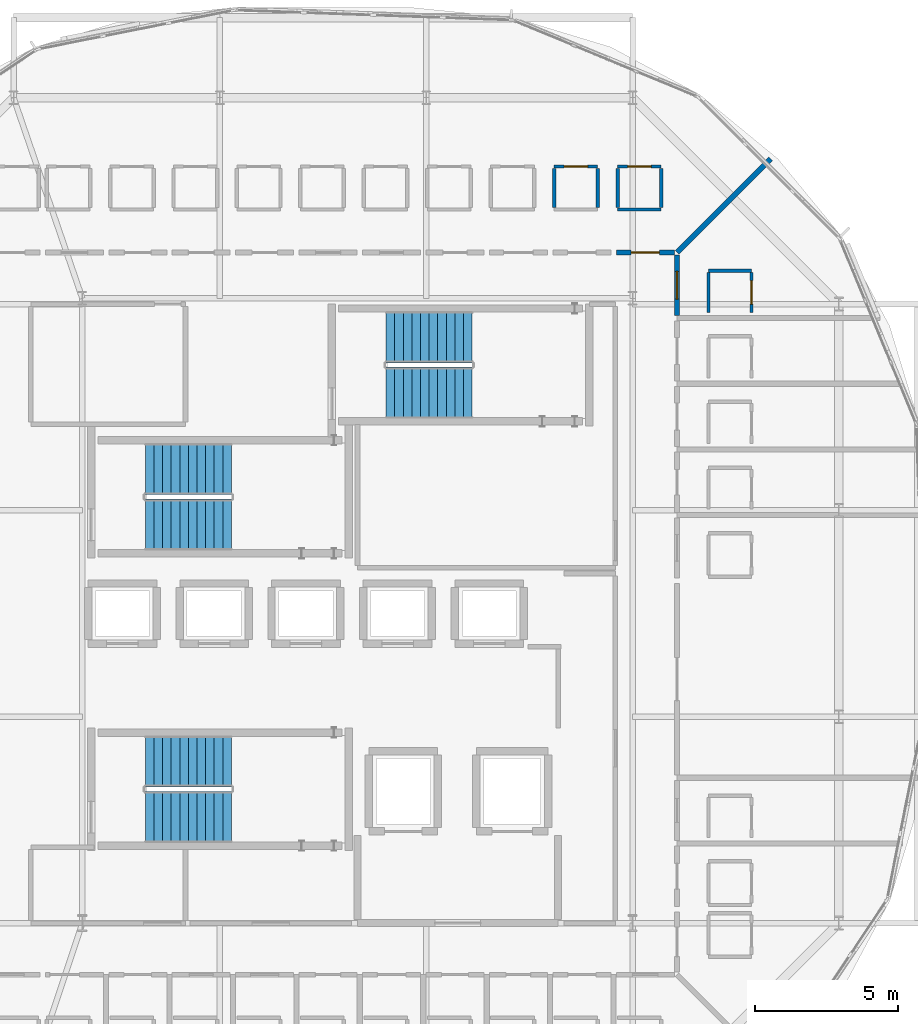
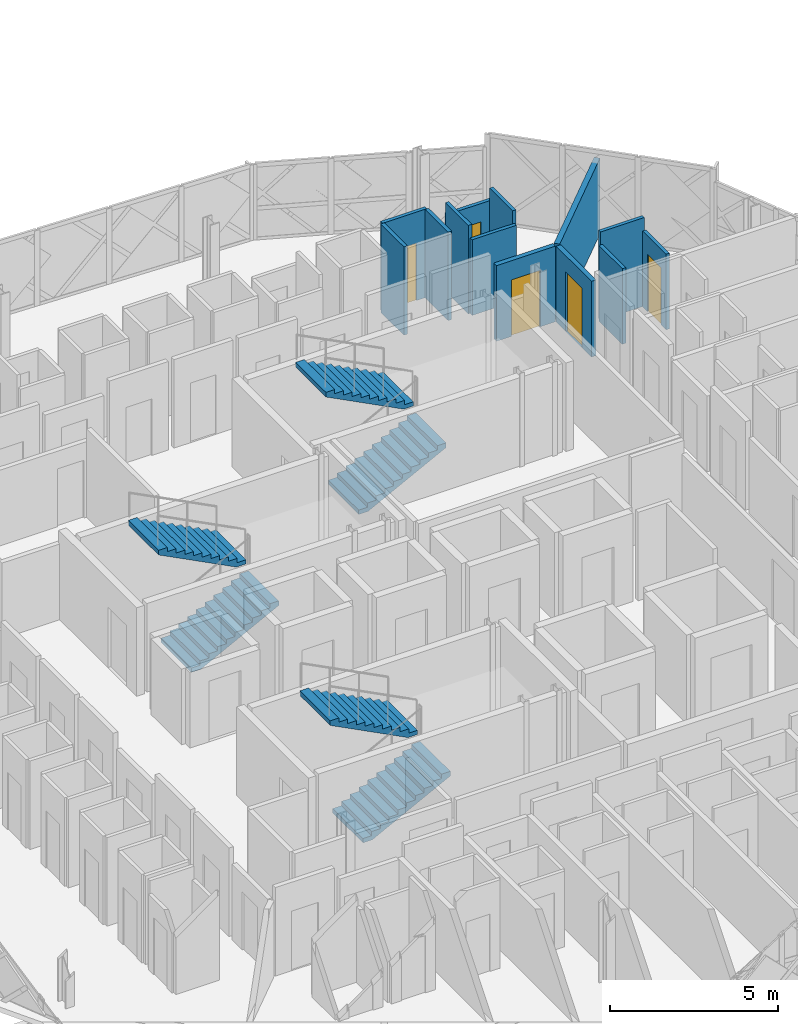
# One storey, part 35 of 40: 13 walls, 6 stair flights, 5 doors, 5 openings, 3 elements without a shape of their own.
"""IFC4 building model written with IfcOpenShell, lengths in metres."""

from ifc_helpers import new_model, si_unit, direction, frame, frame_2d, origin, place, context, subcontext, project, spatial, polyline, rectangle, outline, extrude, material, layer, layer_set, type_object, element, fill, aggregate, save


model = new_model("IFC4")

# Units and contexts
model_context = context("Model", 3, precision=1e-05, world=origin(), true_north=direction((0.0, 1.0)))
body_context = subcontext(model_context, "Body", "Model", "MODEL_VIEW")
ifc_project = project(units=[si_unit("LENGTHUNIT", "METRE"), si_unit("AREAUNIT", "SQUARE_METRE"), si_unit("VOLUMEUNIT", "CUBIC_METRE"), si_unit("PLANEANGLEUNIT", "RADIAN"), si_unit("MASSUNIT", "GRAM", prefix="KILO")], contexts=[model_context])

# Site, building, storey
site_placement = place(None, origin())
site = spatial("IfcSite", under=ifc_project, at=site_placement, CompositionType="ELEMENT")
building_placement = place(site_placement, origin())
building = spatial("IfcBuilding", under=site, at=building_placement, Name="Zevrakil Square Congress Hotel", CompositionType="ELEMENT")
storey_placement = place(building_placement, frame((0.0, 0.0, 18.10009765625)))
storey = spatial("IfcBuildingStorey", under=building, at=storey_placement, Name="L05", CompositionType="ELEMENT", Elevation=18.10009765625)

# Wall, opening, door
ifc_material_1 = material(Name="Gypsum Acoustic Stud Partition")
ifc_layer_1 = layer(ifc_material_1, 0.159912109375)
ifc_layer_set_1 = layer_set([ifc_layer_1], Name="Gypsum Acoustic Stud Partition")
wall_type_1 = type_object("IfcWallType", Name="WAL-CORR-160", PredefinedType="PARTITIONING", material=ifc_layer_set_1)
wall_1_placement = place(storey_placement, frame((157.550048828125, 38.004150390625, 0.0), z_axis=(0.0, 0.0, 1.0), x_axis=(0.0, 1.0, 0.0)))
wall_1 = element("IfcWall", 1, at=wall_1_placement, inside=storey, type_object=wall_type_1, Name="L05 interior partition PW-L05-0571", PredefinedType="PARTITIONING", context=body_context, shape_type="SweptSolid", body=[
    extrude(rectangle(XDim=2.100830078125, YDim=0.159912109375, at=frame_2d((1.05029296875, 0.0))), origin(), (0.0, 0.0, 1.0), 2.744873046875),
])
opening_1_placement = place(wall_1_placement, frame((0.564453125, 0.0, 0.0)))
opening_1 = element("IfcOpeningElement", 2, at=opening_1_placement, cuts=wall_1, Name="Opening ID-H11", PredefinedType="OPENING", context=body_context, shape_type="SweptSolid", body=[
    extrude(rectangle(XDim=0.971923828125, YDim=2.159912109375, at=frame_2d((0.48583984375, 1.080078125))), frame((0.0, 0.08984375, 0.0), z_axis=(0.0, -1.0, 0.0), x_axis=(1.0, 0.0, 0.0)), (0.0, 0.0, 1.0), 0.179931640625),
])
ifc_material_2 = material(Name="Acoustic Timber Fire Door", Category="wood")
door_type_1 = type_object("IfcDoorType", Name="DOR-INT-H11", OperationType="NOTDEFINED", PredefinedType="DOOR", material=ifc_material_2)
door_1_placement = place(opening_1_placement, origin())
door_1 = element("IfcDoor", 3, at=door_1_placement, inside=storey, type_object=door_type_1, Name="L05 interior door 228", OperationType="SINGLE_SWING_RIGHT", OverallHeight=2.159912109375, OverallWidth=0.971923828125, PredefinedType="DOOR", context=body_context, shape_type="SweptSolid", body=[
    extrude(rectangle(XDim=0.971923828125, YDim=2.159912109375, at=frame_2d((0.48583984375, 1.080078125))), frame((0.0, 0.02490234375, 0.0), z_axis=(0.0, -1.0, 0.0), x_axis=(1.0, 0.0, 0.0)), (0.0, 0.0, 1.0), 0.050048828125),
])
fill(opening_1, door_1)

wall_2_placement = place(storey_placement, frame((155.431396484375, 40.199951171875, 0.0), z_axis=(0.0, 0.0, 1.0), x_axis=(1.0, 0.0, 0.0)))
wall_2 = element("IfcWall", 4, at=wall_2_placement, inside=storey, type_object=wall_type_1, Name="L05 interior partition PW-L05-0576", PredefinedType="PARTITIONING", context=body_context, shape_type="SweptSolid", body=[
    extrude(rectangle(XDim=2.023681640625, YDim=0.159912109375, at=frame_2d((1.01171875, 0.0))), origin(), (0.0, 0.0, 1.0), 2.744873046875),
])
opening_2_placement = place(wall_2_placement, frame((0.521728515625, 0.0, 0.0)))
opening_2 = element("IfcOpeningElement", 5, at=opening_2_placement, cuts=wall_2, Name="Opening ID-G06", PredefinedType="OPENING", context=body_context, shape_type="SweptSolid", body=[
    extrude(rectangle(XDim=0.97998046875, YDim=2.050048828125, at=frame_2d((0.489990234375, 1.02490234375))), frame((0.0, 0.08984375, 0.0), z_axis=(0.0, -1.0, 0.0), x_axis=(1.0, 0.0, 0.0)), (0.0, 0.0, 1.0), 0.179931640625),
])
ifc_material_3 = material(Name="Acoustic Timber Fire Door", Category="wood")
door_type_2 = type_object("IfcDoorType", Name="DOR-INT-G06", OperationType="NOTDEFINED", PredefinedType="DOOR", material=ifc_material_3)
door_2_placement = place(opening_2_placement, origin())
door_2 = element("IfcDoor", 6, at=door_2_placement, inside=storey, type_object=door_type_2, Name="L05 interior door 230", OperationType="SINGLE_SWING_RIGHT", OverallHeight=2.050048828125, OverallWidth=0.97998046875, PredefinedType="DOOR", context=body_context, shape_type="SweptSolid", body=[
    extrude(rectangle(XDim=0.97998046875, YDim=2.050048828125, at=frame_2d((0.489990234375, 1.02490234375))), frame((0.0, 0.02490234375, 0.0), z_axis=(0.0, -1.0, 0.0), x_axis=(1.0, 0.0, 0.0)), (0.0, 0.0, 1.0), 0.050048828125),
])
fill(opening_2, door_2)

# Walls
ifc_material_4 = material(Name="Moisture-Resistant Gypsum Partition")
ifc_layer_2 = layer(ifc_material_4, 0.1201171875)
ifc_layer_set_2 = layer_set([ifc_layer_2], Name="Moisture-Resistant Gypsum Partition")
wall_type_2 = type_object("IfcWallType", Name="WAL-ENS-120", PredefinedType="PARTITIONING", material=ifc_layer_set_2)
wall_3_placement = place(storey_placement, frame((158.64990234375, 39.569091796875, 0.0), z_axis=(0.0, 0.0, 1.0), x_axis=(1.0, 0.0, 0.0)))
element("IfcWall", 7, at=wall_3_placement, inside=storey, type_object=wall_type_2, Name="L05 interior partition PW-L05-0572", PredefinedType="PARTITIONING", context=body_context, shape_type="SweptSolid", body=[
    extrude(rectangle(XDim=1.5, YDim=0.1201171875, at=frame_2d((0.75, 0.0))), origin(), (0.0, 0.0, 1.0), 3.2099609375),
])
wall_4_placement = place(storey_placement, frame((158.64990234375, 38.114013671875, 0.0), z_axis=(0.0, 0.0, 1.0), x_axis=(0.0, 1.0, 0.0)))
element("IfcWall", 8, at=wall_4_placement, inside=storey, type_object=wall_type_2, Name="L05 interior partition PW-L05-0573", PredefinedType="PARTITIONING", context=body_context, shape_type="SweptSolid", body=[
    extrude(rectangle(XDim=1.39013671875, YDim=0.1201171875, at=frame_2d((0.695068359375, 0.0))), origin(), (0.0, 0.0, 1.0), 2.744873046875),
])

# Wall, opening, door
wall_5_placement = place(storey_placement, frame((160.14990234375, 38.114013671875, 0.0), z_axis=(0.0, 0.0, 1.0), x_axis=(0.0, 1.0, 0.0)))
wall_5 = element("IfcWall", 9, at=wall_5_placement, inside=storey, type_object=wall_type_2, Name="L05 interior partition PW-L05-0574", PredefinedType="PARTITIONING", context=body_context, shape_type="SweptSolid", body=[
    extrude(rectangle(XDim=1.39013671875, YDim=0.1201171875, at=frame_2d((0.695068359375, 0.0))), origin(), (0.0, 0.0, 1.0), 2.744873046875),
])
opening_3_placement = place(wall_5_placement, frame((0.284912109375, 0.0, 0.0)))
opening_3 = element("IfcOpeningElement", 10, at=opening_3_placement, cuts=wall_5, Name="Opening ID-11", PredefinedType="OPENING", context=body_context, shape_type="SweptSolid", body=[
    extrude(rectangle(XDim=0.820068359375, YDim=2.080078125, at=frame_2d((0.41015625, 1.0400390625))), frame((0.0, 0.070068359375, 0.0), z_axis=(0.0, -1.0, 0.0), x_axis=(1.0, 0.0, 0.0)), (0.0, 0.0, 1.0), 0.14013671875),
])
ifc_material_5 = material(Name="Acoustic Timber Door", Category="wood")
door_type_3 = type_object("IfcDoorType", Name="DOR-INT-V01", OperationType="NOTDEFINED", PredefinedType="DOOR", material=ifc_material_5)
door_3_placement = place(opening_3_placement, origin())
door_3 = element("IfcDoor", 11, at=door_3_placement, inside=storey, type_object=door_type_3, Name="L05 interior door 229", OperationType="SINGLE_SWING_LEFT", OverallHeight=2.080078125, OverallWidth=0.820068359375, PredefinedType="DOOR", context=body_context, shape_type="SweptSolid", body=[
    extrude(rectangle(XDim=0.820068359375, YDim=2.080078125, at=frame_2d((0.41015625, 1.0400390625))), frame((0.0, 0.02490234375, 0.0), z_axis=(0.0, -1.0, 0.0), x_axis=(1.0, 0.0, 0.0)), (0.0, 0.0, 1.0), 0.050048828125),
])
fill(opening_3, door_3)

# Wall
wall_6_placement = place(storey_placement, frame((155.476318359375, 41.699951171875, 0.0), z_axis=(0.0, 0.0, 1.0), x_axis=(1.0, 0.0, 0.0)))
element("IfcWall", 12, at=wall_6_placement, inside=storey, type_object=wall_type_2, Name="L05 interior partition PW-L05-0577", PredefinedType="PARTITIONING", context=body_context, shape_type="SweptSolid", body=[
    extrude(rectangle(XDim=1.52001953125, YDim=0.1201171875, at=frame_2d((0.760009765625, 0.0))), origin(), (0.0, 0.0, 1.0), 2.744873046875),
])

# Wall, opening, door
wall_7_placement = place(storey_placement, frame((155.476318359375, 43.199951171875, 0.0), z_axis=(0.0, 0.0, 1.0), x_axis=(1.0, 0.0, 0.0)))
wall_7 = element("IfcWall", 13, at=wall_7_placement, inside=storey, type_object=wall_type_2, Name="L05 interior partition PW-L05-0578", PredefinedType="PARTITIONING", context=body_context, shape_type="SweptSolid", body=[
    extrude(rectangle(XDim=1.52001953125, YDim=0.1201171875, at=frame_2d((0.760009765625, 0.0))), origin(), (0.0, 0.0, 1.0), 2.744873046875),
])
opening_4_placement = place(wall_7_placement, frame((0.35009765625, 0.0, 0.0)))
opening_4 = element("IfcOpeningElement", 14, at=opening_4_placement, cuts=wall_7, Name="Opening ID-11", PredefinedType="OPENING", context=body_context, shape_type="SweptSolid", body=[
    extrude(rectangle(XDim=0.820068359375, YDim=2.080078125, at=frame_2d((0.41015625, 1.0400390625))), frame((0.0, 0.070068359375, 0.0), z_axis=(0.0, -1.0, 0.0), x_axis=(1.0, 0.0, 0.0)), (0.0, 0.0, 1.0), 0.14013671875),
])
door_4_placement = place(opening_4_placement, origin())
door_4 = element("IfcDoor", 15, at=door_4_placement, inside=storey, type_object=door_type_3, Name="L05 interior door 231", OperationType="SINGLE_SWING_LEFT", OverallHeight=2.080078125, OverallWidth=0.820068359375, PredefinedType="DOOR", context=body_context, shape_type="SweptSolid", body=[
    extrude(rectangle(XDim=0.820068359375, YDim=2.080078125, at=frame_2d((0.41015625, 1.0400390625))), frame((0.0, 0.02490234375, 0.0), z_axis=(0.0, -1.0, 0.0), x_axis=(1.0, 0.0, 0.0)), (0.0, 0.0, 1.0), 0.050048828125),
])
fill(opening_4, door_4)

# Walls
for number, where, z_axis, x_axis, name in (
    (16, (155.476318359375, 41.764892578125, 0.0), (0.0, 0.0, 1.0), (0.0, 1.0, 0.0), "L05 interior partition PW-L05-0579"),
    (17, (156.996337890625, 41.764892578125, 0.0), (0.0, 0.0, 1.0), (0.0, 1.0, 0.0), "L05 interior partition PW-L05-0580"),
):
    element("IfcWall", number, at=place(storey_placement, frame(where, z_axis=z_axis, x_axis=x_axis)), inside=storey, type_object=wall_type_2, Name=name, PredefinedType="PARTITIONING", context=body_context, shape_type="SweptSolid", body=[
        extrude(rectangle(XDim=1.3701171875, YDim=0.1201171875, at=frame_2d((0.68505859375, 0.0))), origin(), (0.0, 0.0, 1.0), 3.2099609375),
    ])

# Wall, opening, door
wall_8_placement = place(storey_placement, frame((153.2626953125, 43.199951171875, 0.0), z_axis=(0.0, 0.0, 1.0), x_axis=(1.0, 0.0, 0.0)))
wall_8 = element("IfcWall", 18, at=wall_8_placement, inside=storey, type_object=wall_type_2, Name="L05 interior partition PW-L05-0583", PredefinedType="PARTITIONING", context=body_context, shape_type="SweptSolid", body=[
    extrude(rectangle(XDim=1.52001953125, YDim=0.1201171875, at=frame_2d((0.760009765625, 0.0))), origin(), (0.0, 0.0, 1.0), 3.2099609375),
])
opening_5_placement = place(wall_8_placement, frame((0.35009765625, 0.0, 0.0)))
opening_5 = element("IfcOpeningElement", 19, at=opening_5_placement, cuts=wall_8, Name="Opening ID-11", PredefinedType="OPENING", context=body_context, shape_type="SweptSolid", body=[
    extrude(rectangle(XDim=0.820068359375, YDim=2.080078125, at=frame_2d((0.41015625, 1.0400390625))), frame((0.0, 0.070068359375, 0.0), z_axis=(0.0, -1.0, 0.0), x_axis=(1.0, 0.0, 0.0)), (0.0, 0.0, 1.0), 0.14013671875),
])
door_5_placement = place(opening_5_placement, origin())
door_5 = element("IfcDoor", 20, at=door_5_placement, inside=storey, type_object=door_type_3, Name="L05 interior door 233", OperationType="SINGLE_SWING_LEFT", OverallHeight=2.080078125, OverallWidth=0.820068359375, PredefinedType="DOOR", context=body_context, shape_type="SweptSolid", body=[
    extrude(rectangle(XDim=0.820068359375, YDim=2.080078125, at=frame_2d((0.41015625, 1.0400390625))), frame((0.0, 0.02490234375, 0.0), z_axis=(0.0, -1.0, 0.0), x_axis=(1.0, 0.0, 0.0)), (0.0, 0.0, 1.0), 0.050048828125),
])
fill(opening_5, door_5)

# Walls
for number, where, z_axis, x_axis, name in (
    (21, (153.2626953125, 41.764892578125, 0.0), (0.0, 0.0, 1.0), (0.0, 1.0, 0.0), "L05 interior partition PW-L05-0584"),
    (22, (154.78271484375, 41.764892578125, 0.0), (0.0, 0.0, 1.0), (0.0, 1.0, 0.0), "L05 interior partition PW-L05-0585"),
):
    element("IfcWall", number, at=place(storey_placement, frame(where, z_axis=z_axis, x_axis=x_axis)), inside=storey, type_object=wall_type_2, Name=name, PredefinedType="PARTITIONING", context=body_context, shape_type="SweptSolid", body=[
        extrude(rectangle(XDim=1.3701171875, YDim=0.1201171875, at=frame_2d((0.68505859375, 0.0))), origin(), (0.0, 0.0, 1.0), 3.2099609375),
    ])
ifc_material_6 = material(Name="Gypsum Twin-Stud Party Partition")
ifc_layer_3 = layer(ifc_material_6, 0.179931640625)
ifc_layer_set_3 = layer_set([ifc_layer_3], Name="Gypsum Twin-Stud Party Partition")
wall_type_3 = type_object("IfcWallType", Name="WAL-PARTY-180", PredefinedType="PARTITIONING", material=ifc_layer_set_3)
wall_9_placement = place(storey_placement, frame((157.550048828125, 40.199951171875, 0.0), z_axis=(0.0, 0.0, 1.0), x_axis=(0.707106781187, 0.707106781187, 0.0)))
element("IfcWall", 23, at=wall_9_placement, inside=storey, type_object=wall_type_3, Name="L05 interior partition PW-L05-0575", PredefinedType="PARTITIONING", context=body_context, shape_type="SweptSolid", body=[
    extrude(rectangle(XDim=4.615478515625, YDim=0.179931640625, at=frame_2d((2.3076171875, 0.0))), origin(), (0.0, 0.0, 1.0), 2.7548828125),
])

# Stair, stair flights
ifc_material_7 = material(Name="Concrete C35/45", Category="concrete")
stair_type = type_object("IfcStairType", Name="STR-DOGLEG-180", PredefinedType="HALF_TURN_STAIR", material=ifc_material_7)
stair_1_placement = place(storey_placement, origin())
stair_1 = element("IfcStair", 24, at=stair_1_placement, inside=storey, type_object=stair_type, Name="L05 Protected exit stair ST01", PredefinedType="HALF_TURN_STAIR")
ifc_material_8 = material(Name="Concrete C35/45", Category="concrete")
ifc_layer_4 = layer(ifc_material_8, 0.159912109375)
ifc_layer_set_4 = layer_set([ifc_layer_4], Name="Concrete C35/45")
stair_flight_type = type_object("IfcStairFlightType", Name="SFL-STRAIGHT-180", PredefinedType="STRAIGHT", material=ifc_layer_set_4)
stair_flight_1_placement = place(storey_placement, frame((139.0, 20.5, 0.0), z_axis=(0.0, 0.0, 1.0), x_axis=(1.0, 0.0, 0.0)))
stair_flight_1 = element("IfcStairFlight", 25, at=stair_flight_1_placement, type_object=stair_flight_type, Name="ST01 flight 1", NumberOfRisers=11, NumberOfTreads=10, PredefinedType="STRAIGHT", RiserHeight=0.154545455, TreadLength=0.3, context=body_context, shape_type="SweptSolid", body=[
    extrude(outline(polyline([(0.0, 0.0), (0.0, 0.154541015625), (0.300048828125, 0.154541015625), (0.300048828125, 0.30908203125), (0.60009765625, 0.30908203125), (0.60009765625, 0.463623046875), (0.89990234375, 0.463623046875), (0.89990234375, 0.6181640625), (1.199951171875, 0.6181640625), (1.199951171875, 0.772705078125), (1.5, 0.772705078125), (1.5, 0.92724609375), (1.800048828125, 0.92724609375), (1.800048828125, 1.081787109375), (2.10009765625, 1.081787109375), (2.10009765625, 1.236328125), (2.39990234375, 1.236328125), (2.39990234375, 1.390869140625), (2.699951171875, 1.390869140625), (2.699951171875, 1.54541015625), (3.0, 1.54541015625), (3.0, 1.699951171875), (3.0, 1.376708984375), (0.327392578125, 0.0), (0.0, 0.0)])), frame((0.0, 0.89990234375, 0.0), z_axis=(0.0, -1.0, 0.0), x_axis=(1.0, 0.0, 0.0)), (0.0, 0.0, 1.0), 1.800048828125),
])
stair_flight_2_placement = place(storey_placement, frame((142.0, 22.449951171875, 1.699951171875), z_axis=(0.0, 0.0, 1.0), x_axis=(-1.0, 0.0, 0.0)))
stair_flight_2 = element("IfcStairFlight", 26, at=stair_flight_2_placement, type_object=stair_flight_type, Name="ST01 flight 2", NumberOfRisers=11, NumberOfTreads=10, PredefinedType="STRAIGHT", RiserHeight=0.154545455, TreadLength=0.3, context=body_context, shape_type="SweptSolid", body=[
    extrude(outline(polyline([(0.0, 0.0), (0.0, 0.154541015625), (0.300048828125, 0.154541015625), (0.300048828125, 0.30908203125), (0.60009765625, 0.30908203125), (0.60009765625, 0.463623046875), (0.89990234375, 0.463623046875), (0.89990234375, 0.6181640625), (1.199951171875, 0.6181640625), (1.199951171875, 0.772705078125), (1.5, 0.772705078125), (1.5, 0.92724609375), (1.800048828125, 0.92724609375), (1.800048828125, 1.081787109375), (2.10009765625, 1.081787109375), (2.10009765625, 1.236328125), (2.39990234375, 1.236328125), (2.39990234375, 1.390869140625), (2.699951171875, 1.390869140625), (2.699951171875, 1.54541015625), (3.0, 1.54541015625), (3.0, 1.699951171875), (3.0, 1.376708984375), (0.327392578125, 0.0), (0.0, 0.0)])), frame((0.0, 0.89990234375, 0.0), z_axis=(0.0, -1.0, 0.0), x_axis=(1.0, 0.0, 0.0)), (0.0, 0.0, 1.0), 1.800048828125),
])
aggregate(stair_1, [stair_flight_1, stair_flight_2])

stair_2_placement = place(storey_placement, origin())
stair_2 = element("IfcStair", 27, at=stair_2_placement, inside=storey, type_object=stair_type, Name="L05 Protected exit stair ST02", PredefinedType="HALF_TURN_STAIR")
stair_flight_3_placement = place(storey_placement, frame((139.0, 30.699951171875, 0.0), z_axis=(0.0, 0.0, 1.0), x_axis=(1.0, 0.0, 0.0)))
stair_flight_3 = element("IfcStairFlight", 28, at=stair_flight_3_placement, type_object=stair_flight_type, Name="ST02 flight 1", NumberOfRisers=11, NumberOfTreads=10, PredefinedType="STRAIGHT", RiserHeight=0.154545455, TreadLength=0.3, context=body_context, shape_type="SweptSolid", body=[
    extrude(outline(polyline([(0.0, 0.0), (0.0, 0.154541015625), (0.300048828125, 0.154541015625), (0.300048828125, 0.30908203125), (0.60009765625, 0.30908203125), (0.60009765625, 0.463623046875), (0.89990234375, 0.463623046875), (0.89990234375, 0.6181640625), (1.199951171875, 0.6181640625), (1.199951171875, 0.772705078125), (1.5, 0.772705078125), (1.5, 0.92724609375), (1.800048828125, 0.92724609375), (1.800048828125, 1.081787109375), (2.10009765625, 1.081787109375), (2.10009765625, 1.236328125), (2.39990234375, 1.236328125), (2.39990234375, 1.390869140625), (2.699951171875, 1.390869140625), (2.699951171875, 1.54541015625), (3.0, 1.54541015625), (3.0, 1.699951171875), (3.0, 1.376708984375), (0.327392578125, 0.0), (0.0, 0.0)])), frame((0.0, 0.89990234375, 0.0), z_axis=(0.0, -1.0, 0.0), x_axis=(1.0, 0.0, 0.0)), (0.0, 0.0, 1.0), 1.800048828125),
])
stair_flight_4_placement = place(storey_placement, frame((142.0, 32.64990234375, 1.699951171875), z_axis=(0.0, 0.0, 1.0), x_axis=(-1.0, 0.0, 0.0)))
stair_flight_4 = element("IfcStairFlight", 29, at=stair_flight_4_placement, type_object=stair_flight_type, Name="ST02 flight 2", NumberOfRisers=11, NumberOfTreads=10, PredefinedType="STRAIGHT", RiserHeight=0.154545455, TreadLength=0.3, context=body_context, shape_type="SweptSolid", body=[
    extrude(outline(polyline([(0.0, 0.0), (0.0, 0.154541015625), (0.300048828125, 0.154541015625), (0.300048828125, 0.30908203125), (0.60009765625, 0.30908203125), (0.60009765625, 0.463623046875), (0.89990234375, 0.463623046875), (0.89990234375, 0.6181640625), (1.199951171875, 0.6181640625), (1.199951171875, 0.772705078125), (1.5, 0.772705078125), (1.5, 0.92724609375), (1.800048828125, 0.92724609375), (1.800048828125, 1.081787109375), (2.10009765625, 1.081787109375), (2.10009765625, 1.236328125), (2.39990234375, 1.236328125), (2.39990234375, 1.390869140625), (2.699951171875, 1.390869140625), (2.699951171875, 1.54541015625), (3.0, 1.54541015625), (3.0, 1.699951171875), (3.0, 1.376708984375), (0.327392578125, 0.0), (0.0, 0.0)])), frame((0.0, 0.89990234375, 0.0), z_axis=(0.0, -1.0, 0.0), x_axis=(1.0, 0.0, 0.0)), (0.0, 0.0, 1.0), 1.800048828125),
])
aggregate(stair_2, [stair_flight_3, stair_flight_4])

stair_3_placement = place(storey_placement, origin())
stair_3 = element("IfcStair", 30, at=stair_3_placement, inside=storey, type_object=stair_type, Name="L05 Protected exit stair ST03", PredefinedType="HALF_TURN_STAIR")
stair_flight_5_placement = place(storey_placement, frame((147.39990234375, 35.300048828125, 0.0), z_axis=(0.0, 0.0, 1.0), x_axis=(1.0, 0.0, 0.0)))
stair_flight_5 = element("IfcStairFlight", 31, at=stair_flight_5_placement, type_object=stair_flight_type, Name="ST03 flight 1", NumberOfRisers=11, NumberOfTreads=10, PredefinedType="STRAIGHT", RiserHeight=0.154545455, TreadLength=0.3, context=body_context, shape_type="SweptSolid", body=[
    extrude(outline(polyline([(0.0, 0.0), (0.0, 0.154541015625), (0.300048828125, 0.154541015625), (0.300048828125, 0.30908203125), (0.60009765625, 0.30908203125), (0.60009765625, 0.463623046875), (0.89990234375, 0.463623046875), (0.89990234375, 0.6181640625), (1.199951171875, 0.6181640625), (1.199951171875, 0.772705078125), (1.5, 0.772705078125), (1.5, 0.92724609375), (1.800048828125, 0.92724609375), (1.800048828125, 1.081787109375), (2.10009765625, 1.081787109375), (2.10009765625, 1.236328125), (2.39990234375, 1.236328125), (2.39990234375, 1.390869140625), (2.699951171875, 1.390869140625), (2.699951171875, 1.54541015625), (3.0, 1.54541015625), (3.0, 1.699951171875), (3.0, 1.376708984375), (0.327392578125, 0.0), (0.0, 0.0)])), frame((0.0, 0.89990234375, 0.0), z_axis=(0.0, -1.0, 0.0), x_axis=(1.0, 0.0, 0.0)), (0.0, 0.0, 1.0), 1.800048828125),
])
stair_flight_6_placement = place(storey_placement, frame((150.39990234375, 37.25, 1.699951171875), z_axis=(0.0, 0.0, 1.0), x_axis=(-1.0, 0.0, 0.0)))
stair_flight_6 = element("IfcStairFlight", 32, at=stair_flight_6_placement, type_object=stair_flight_type, Name="ST03 flight 2", NumberOfRisers=11, NumberOfTreads=10, PredefinedType="STRAIGHT", RiserHeight=0.154545455, TreadLength=0.3, context=body_context, shape_type="SweptSolid", body=[
    extrude(outline(polyline([(0.0, 0.0), (0.0, 0.154541015625), (0.300048828125, 0.154541015625), (0.300048828125, 0.30908203125), (0.60009765625, 0.30908203125), (0.60009765625, 0.463623046875), (0.89990234375, 0.463623046875), (0.89990234375, 0.6181640625), (1.199951171875, 0.6181640625), (1.199951171875, 0.772705078125), (1.5, 0.772705078125), (1.5, 0.92724609375), (1.800048828125, 0.92724609375), (1.800048828125, 1.081787109375), (2.10009765625, 1.081787109375), (2.10009765625, 1.236328125), (2.39990234375, 1.236328125), (2.39990234375, 1.390869140625), (2.699951171875, 1.390869140625), (2.699951171875, 1.54541015625), (3.0, 1.54541015625), (3.0, 1.699951171875), (3.0, 1.376708984375), (0.327392578125, 0.0), (0.0, 0.0)])), frame((0.0, 0.89990234375, 0.0), z_axis=(0.0, -1.0, 0.0), x_axis=(1.0, 0.0, 0.0)), (0.0, 0.0, 1.0), 1.800048828125),
])
aggregate(stair_3, [stair_flight_5, stair_flight_6])

save(model, "model.ifc")
